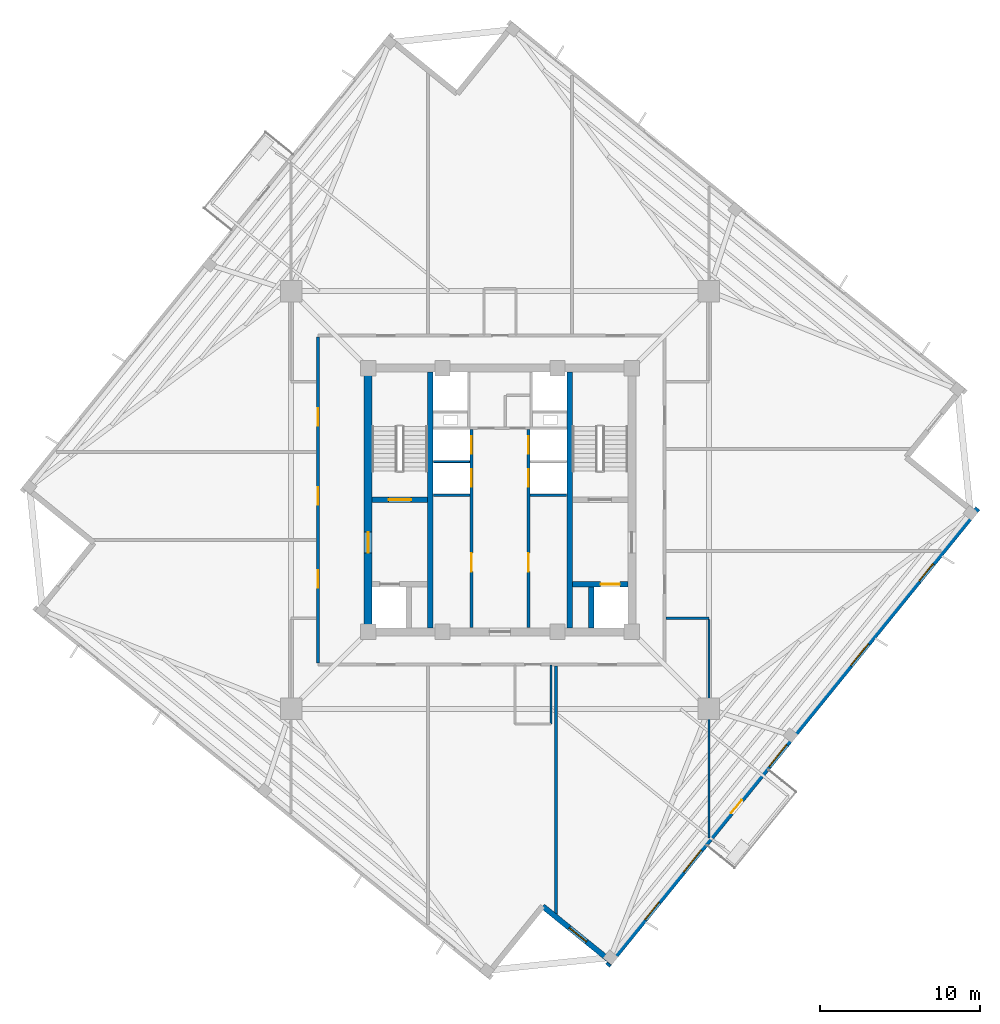
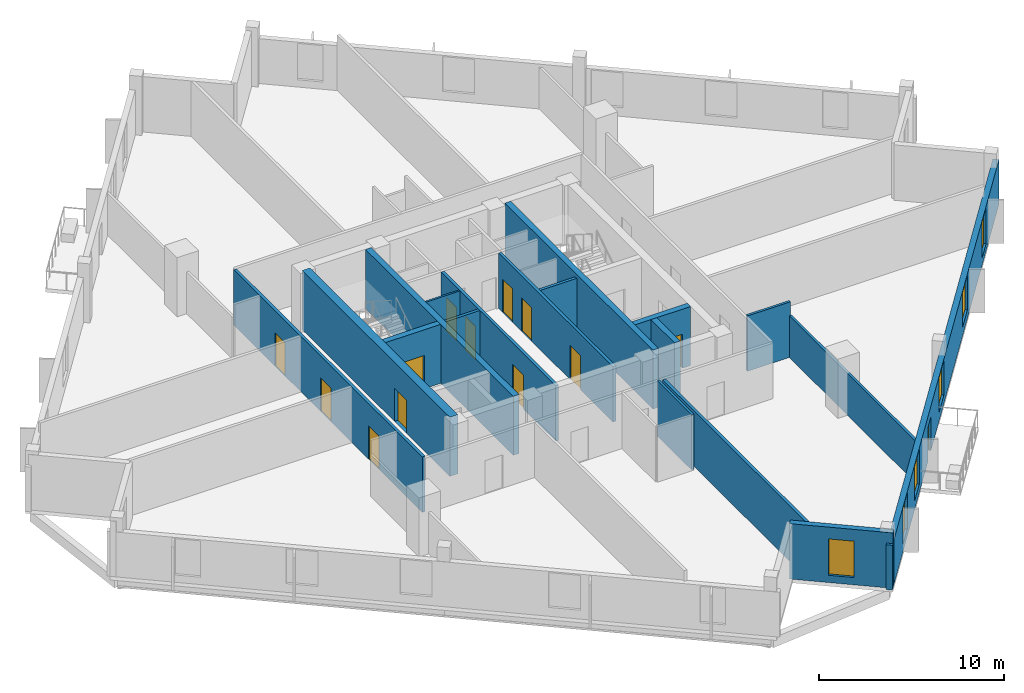
# One storey, part 3 of 9: 18 walls, 13 doors, 6 windows, 19 openings.
"""IFC4 building model written with IfcOpenShell, lengths in metres."""

from ifc_helpers import new_model, si_unit, direction, frame, frame_2d, origin, place, context, subcontext, project, spatial, rectangle, extrude, source, transform, mapped, material, layer, layer_set, type_object, element, fill, save


model = new_model("IFC4")

# Units and contexts
model_context = context("Model", 3, precision=1e-05, world=origin(), true_north=direction((0.0, 1.0)))
body_context = subcontext(model_context, "Body", "Model", "MODEL_VIEW")
ifc_project = project(units=[si_unit("LENGTHUNIT", "METRE"), si_unit("AREAUNIT", "SQUARE_METRE"), si_unit("VOLUMEUNIT", "CUBIC_METRE"), si_unit("PLANEANGLEUNIT", "RADIAN"), si_unit("MASSUNIT", "GRAM", prefix="KILO"), si_unit("THERMODYNAMICTEMPERATUREUNIT", "KELVIN")], contexts=[model_context])

# Site, building, storey
site_placement = place(None, origin())
site = spatial("IfcSite", under=ifc_project, at=site_placement, CompositionType="ELEMENT")
building_placement = place(site_placement, origin())
building = spatial("IfcBuilding", under=site, at=building_placement, Name="Kosmvard Interchange Tower", CompositionType="ELEMENT")
storey_placement = place(building_placement, frame((0.0, 0.0, 236.800048828125)))
storey = spatial("IfcBuildingStorey", under=building, at=storey_placement, Name="L57", CompositionType="ELEMENT", Elevation=236.800048828125)

# Walls
ifc_material_1 = material(Name="Acoustic gypsum partition system")
ifc_layer_1 = layer(ifc_material_1, 0.14990234375, Name="Acoustic gypsum partition system")
ifc_layer_set_1 = layer_set([ifc_layer_1], Name="Acoustic gypsum partition system")
wall_type_1 = type_object("IfcWallType", Name="Acoustic Suite & Meeting Partition 150", PredefinedType="PARTITIONING", material=ifc_layer_set_1)
wall_1_placement = place(storey_placement, frame((10.39501953125, -7.39990234375, 0.0), z_axis=(0.0, 0.0, 1.0), x_axis=(1.0, 0.0, 0.0)))
element("IfcWall", 1, at=wall_1_placement, inside=storey, type_object=wall_type_1, Name="L57 Room Partition 13.1", PredefinedType="PARTITIONING", context=body_context, shape_type="SweptSolid", body=[
    extrude(rectangle(XDim=2.68603515625, YDim=0.14990234375, at=frame_2d((1.343017578125, 0.0))), origin(), (0.0, 0.0, 1.0), 3.659912109375),
])
wall_2_placement = place(storey_placement, frame((13.0810546875, -7.47509765625, 0.0), z_axis=(0.0, 0.0, 1.0), x_axis=(0.0, -1.0, 0.0)))
element("IfcWall", 2, at=wall_2_placement, inside=storey, type_object=wall_type_1, Name="L57 Room Partition 14.1", PredefinedType="PARTITIONING", context=body_context, shape_type="SweptSolid", body=[
    extrude(rectangle(XDim=13.67333984375, YDim=0.14990234375, at=frame_2d((6.836669921875, 0.0))), origin(), (0.0, 0.0, 1.0), 2.760009765625),
])

# Wall, openings, doors
ifc_material_2 = material(Name="Fire-rated gypsum partition system")
ifc_layer_2 = layer(ifc_material_2, 0.179931640625, Name="Fire-rated gypsum partition system")
ifc_layer_set_2 = layer_set([ifc_layer_2], Name="Fire-rated gypsum partition system")
wall_type_2 = type_object("IfcWallType", Name="Corridor & Hotel Compartment Partition 180", PredefinedType="PARTITIONING", material=ifc_layer_set_2)
wall_3_placement = place(storey_placement, frame((-1.7900390625, -7.97998046875, 0.0), z_axis=(0.0, 0.0, 1.0), x_axis=(0.0, 1.0, 0.0)))
wall_3 = element("IfcWall", 3, at=wall_3_placement, inside=storey, type_object=wall_type_2, Name="L57 West Lift Bank Front Wall", PredefinedType="PARTITIONING", context=body_context, shape_type="SweptSolid", body=[
    extrude(rectangle(XDim=12.3798828125, YDim=0.179931640625, at=frame_2d((6.18994140625, 0.0))), origin(), (0.0, 0.0, 1.0), 3.659912109375),
])
opening_1_placement = place(wall_3_placement, frame((8.800048828125, 0.0, 0.0)))
opening_1 = element("IfcOpeningElement", 4, at=opening_1_placement, cuts=wall_3, Name="Opening LD-PL-H1-L57", PredefinedType="OPENING", context=body_context, shape_type="SweptSolid", body=[
    extrude(rectangle(XDim=1.10009765625, YDim=2.199951171875, at=frame_2d((0.550048828125, 1.10009765625))), frame((0.0, 0.10009765625, 0.0), z_axis=(0.0, -1.0, 0.0), x_axis=(1.0, 0.0, 0.0)), (0.0, 0.0, 1.0), 0.199951171875),
])
opening_2_placement = place(wall_3_placement, frame((10.860107421875, 0.0, 0.0)))
opening_2 = element("IfcOpeningElement", 5, at=opening_2_placement, cuts=wall_3, Name="Opening LD-PL-H2-L57", PredefinedType="OPENING", context=body_context, shape_type="SweptSolid", body=[
    extrude(rectangle(XDim=1.10009765625, YDim=2.199951171875, at=frame_2d((0.550048828125, 1.10009765625))), frame((0.0, 0.10009765625, 0.0), z_axis=(0.0, -1.0, 0.0), x_axis=(1.0, 0.0, 0.0)), (0.0, 0.0, 1.0), 0.199951171875),
])
opening_3_placement = place(wall_3_placement, frame((3.5, 0.0, 0.0)))
opening_3 = element("IfcOpeningElement", 6, at=opening_3_placement, cuts=wall_3, Name="Opening L57-CD1", PredefinedType="OPENING", context=body_context, shape_type="SweptSolid", body=[
    extrude(rectangle(XDim=1.14990234375, YDim=2.25, at=frame_2d((0.574951171875, 1.125))), frame((0.0, 0.10009765625, 0.0), z_axis=(0.0, -1.0, 0.0), x_axis=(1.0, 0.0, 0.0)), (0.0, 0.0, 1.0), 0.199951171875),
])
ifc_material_3 = material(Name="Painted fire-rated steel leaf", Category="steel")
door_type_1 = type_object("IfcDoorType", Name="Plant & Riser Fire Door 1150x2250 EI60", OperationType="NOTDEFINED", PredefinedType="DOOR", material=ifc_material_3)
shared_shape_1 = source(origin(), body_context, "Body", "SweptSolid", [
    extrude(rectangle(XDim=1.14990234375, YDim=2.25, at=frame_2d((0.574951171875, 1.125))), frame((0.0, 0.02490234375, 0.0), z_axis=(0.0, -1.0, 0.0), x_axis=(1.0, 0.0, 0.0)), (0.0, 0.0, 1.0), 0.050048828125),
])
door_1_placement = place(opening_3_placement, origin())
door_1 = element("IfcDoor", 7, at=door_1_placement, inside=storey, type_object=door_type_1, Name="L57 Core Facility Store Door", OperationType="SINGLE_SWING_LEFT", OverallHeight=2.25, OverallWidth=1.14990234375, PredefinedType="DOOR", context=body_context, shape_type="MappedRepresentation", body=[
    mapped(shared_shape_1, transform((0.0, 0.0, 0.0), scale=1.0)),
])
fill(opening_3, door_1)
ifc_material_4 = material(Name="Brushed stainless steel sliding leaf", Category="steel")
door_type_2 = type_object("IfcDoorType", Name="Passenger Lift Sliding Landing Door 1100x2200 EI60", OperationType="DOUBLE_DOOR_SLIDING", PredefinedType="DOOR", material=ifc_material_4)
shared_shape_2 = source(origin(), body_context, "Body", "SweptSolid", [
    extrude(rectangle(XDim=1.10009765625, YDim=2.199951171875, at=frame_2d((0.550048828125, 1.10009765625))), frame((0.0, 0.02490234375, 0.0), z_axis=(0.0, -1.0, 0.0), x_axis=(1.0, 0.0, 0.0)), (0.0, 0.0, 1.0), 0.050048828125),
])
door_2_placement = place(opening_1_placement, frame((1.10009765625, 0.0, 0.0), z_axis=(0.0, 0.0, 1.0), x_axis=(-1.0, 0.0, 0.0)))
door_2 = element("IfcDoor", 8, at=door_2_placement, inside=storey, type_object=door_type_2, Name="Lift PL-H1 Landing Door L57", OperationType="DOUBLE_DOOR_SLIDING", OverallHeight=2.199951171875, OverallWidth=1.10009765625, PredefinedType="DOOR", context=body_context, shape_type="MappedRepresentation", body=[
    mapped(shared_shape_2, transform((0.0, 0.0, 0.0), scale=1.0)),
])
fill(opening_1, door_2)
door_3_placement = place(opening_2_placement, frame((1.10009765625, 0.0, 0.0), z_axis=(0.0, 0.0, 1.0), x_axis=(-1.0, 0.0, 0.0)))
door_3 = element("IfcDoor", 9, at=door_3_placement, inside=storey, type_object=door_type_2, Name="Lift PL-H2 Landing Door L57", OperationType="DOUBLE_DOOR_SLIDING", OverallHeight=2.199951171875, OverallWidth=1.10009765625, PredefinedType="DOOR", context=body_context, shape_type="MappedRepresentation", body=[
    mapped(shared_shape_2, transform((0.0, 0.0, 0.0), scale=1.0)),
])
fill(opening_2, door_3)

wall_4_placement = place(storey_placement, frame((1.7900390625, -7.97998046875, 0.0), z_axis=(0.0, 0.0, 1.0), x_axis=(0.0, 1.0, 0.0)))
wall_4 = element("IfcWall", 10, at=wall_4_placement, inside=storey, type_object=wall_type_2, Name="L57 East Lift Bank Front Wall", PredefinedType="PARTITIONING", context=body_context, shape_type="SweptSolid", body=[
    extrude(rectangle(XDim=12.3798828125, YDim=0.179931640625, at=frame_2d((6.18994140625, 0.0))), origin(), (0.0, 0.0, 1.0), 3.659912109375),
])
opening_4_placement = place(wall_4_placement, frame((8.800048828125, 0.0, 0.0)))
opening_4 = element("IfcOpeningElement", 11, at=opening_4_placement, cuts=wall_4, Name="Opening LD-PL-H3-L57", PredefinedType="OPENING", context=body_context, shape_type="SweptSolid", body=[
    extrude(rectangle(XDim=1.10009765625, YDim=2.199951171875, at=frame_2d((0.550048828125, 1.10009765625))), frame((0.0, 0.10009765625, 0.0), z_axis=(0.0, -1.0, 0.0), x_axis=(1.0, 0.0, 0.0)), (0.0, 0.0, 1.0), 0.199951171875),
])
opening_5_placement = place(wall_4_placement, frame((10.860107421875, 0.0, 0.0)))
opening_5 = element("IfcOpeningElement", 12, at=opening_5_placement, cuts=wall_4, Name="Opening LD-PL-H4-L57", PredefinedType="OPENING", context=body_context, shape_type="SweptSolid", body=[
    extrude(rectangle(XDim=1.10009765625, YDim=2.199951171875, at=frame_2d((0.550048828125, 1.10009765625))), frame((0.0, 0.10009765625, 0.0), z_axis=(0.0, -1.0, 0.0), x_axis=(1.0, 0.0, 0.0)), (0.0, 0.0, 1.0), 0.199951171875),
])
opening_6_placement = place(wall_4_placement, frame((3.5, 0.0, 0.0)))
opening_6 = element("IfcOpeningElement", 13, at=opening_6_placement, cuts=wall_4, Name="Opening L57-CD2", PredefinedType="OPENING", context=body_context, shape_type="SweptSolid", body=[
    extrude(rectangle(XDim=1.14990234375, YDim=2.25, at=frame_2d((0.574951171875, 1.125))), frame((0.0, 0.10009765625, 0.0), z_axis=(0.0, -1.0, 0.0), x_axis=(1.0, 0.0, 0.0)), (0.0, 0.0, 1.0), 0.199951171875),
])
door_4_placement = place(opening_6_placement, frame((1.14990234375, 0.0, 0.0), z_axis=(0.0, 0.0, 1.0), x_axis=(-1.0, 0.0, 0.0)))
door_4 = element("IfcDoor", 14, at=door_4_placement, inside=storey, type_object=door_type_1, Name="L57 Core BMS UPS Door", OperationType="SINGLE_SWING_RIGHT", OverallHeight=2.25, OverallWidth=1.14990234375, PredefinedType="DOOR", context=body_context, shape_type="MappedRepresentation", body=[
    mapped(shared_shape_1, transform((0.0, 0.0, 0.0), scale=1.0)),
])
fill(opening_6, door_4)
door_5_placement = place(opening_4_placement, origin())
door_5 = element("IfcDoor", 15, at=door_5_placement, inside=storey, type_object=door_type_2, Name="Lift PL-H3 Landing Door L57", OperationType="DOUBLE_DOOR_SLIDING", OverallHeight=2.199951171875, OverallWidth=1.10009765625, PredefinedType="DOOR", context=body_context, shape_type="MappedRepresentation", body=[
    mapped(shared_shape_2, transform((0.0, 0.0, 0.0), scale=1.0)),
])
fill(opening_4, door_5)
door_6_placement = place(opening_5_placement, origin())
door_6 = element("IfcDoor", 16, at=door_6_placement, inside=storey, type_object=door_type_2, Name="Lift PL-H4 Landing Door L57", OperationType="DOUBLE_DOOR_SLIDING", OverallHeight=2.199951171875, OverallWidth=1.10009765625, PredefinedType="DOOR", context=body_context, shape_type="MappedRepresentation", body=[
    mapped(shared_shape_2, transform((0.0, 0.0, 0.0), scale=1.0)),
])
fill(opening_5, door_6)

wall_5_placement = place(storey_placement, frame((-11.39990234375, -10.199951171875, 0.0), z_axis=(0.0, 0.0, 1.0), x_axis=(0.0, 1.0, 0.0)))
wall_5 = element("IfcWall", 17, at=wall_5_placement, inside=storey, type_object=wall_type_2, Name="L57 Corridor Wall CW", PredefinedType="PARTITIONING", context=body_context, shape_type="SweptSolid", body=[
    extrude(rectangle(XDim=20.39990234375, YDim=0.179931640625, at=frame_2d((10.199951171875, 0.0))), origin(), (0.0, 0.0, 1.0), 3.659912109375),
])
opening_7_placement = place(wall_5_placement, frame((14.85009765625, 0.0, 0.0)))
opening_7 = element("IfcOpeningElement", 18, at=opening_7_placement, cuts=wall_5, Name="Opening L57-D03", PredefinedType="OPENING", context=body_context, shape_type="SweptSolid", body=[
    extrude(rectangle(XDim=1.10009765625, YDim=2.199951171875, at=frame_2d((0.550048828125, 1.10009765625))), frame((0.0, 0.10009765625, 0.0), z_axis=(0.0, -1.0, 0.0), x_axis=(1.0, 0.0, 0.0)), (0.0, 0.0, 1.0), 0.199951171875),
])
opening_8_placement = place(wall_5_placement, frame((4.699951171875, 0.0, 0.0)))
opening_8 = element("IfcOpeningElement", 19, at=opening_8_placement, cuts=wall_5, Name="Opening L57-D13", PredefinedType="OPENING", context=body_context, shape_type="SweptSolid", body=[
    extrude(rectangle(XDim=1.10009765625, YDim=2.199951171875, at=frame_2d((0.550048828125, 1.10009765625))), frame((0.0, 0.10009765625, 0.0), z_axis=(0.0, -1.0, 0.0), x_axis=(1.0, 0.0, 0.0)), (0.0, 0.0, 1.0), 0.199951171875),
])
opening_9_placement = place(wall_5_placement, frame((9.89990234375, 0.0, 0.0)))
opening_9 = element("IfcOpeningElement", 20, at=opening_9_placement, cuts=wall_5, Name="Opening L57-D14", PredefinedType="OPENING", context=body_context, shape_type="SweptSolid", body=[
    extrude(rectangle(XDim=1.10009765625, YDim=2.199951171875, at=frame_2d((0.550048828125, 1.10009765625))), frame((0.0, 0.10009765625, 0.0), z_axis=(0.0, -1.0, 0.0), x_axis=(1.0, 0.0, 0.0)), (0.0, 0.0, 1.0), 0.199951171875),
])
ifc_material_5 = material(Name="Engineered oak fire-rated timber", Category="wood")
door_type_3 = type_object("IfcDoorType", Name="Office Suite Entrance Door 1100x2200 FD30S", OperationType="NOTDEFINED", PredefinedType="DOOR", material=ifc_material_5)
door_7_placement = place(opening_7_placement, origin())
door_7 = element("IfcDoor", 21, at=door_7_placement, inside=storey, type_object=door_type_3, Name="L57 North-West Corner Office Door", OperationType="SINGLE_SWING_LEFT", OverallHeight=2.199951171875, OverallWidth=1.10009765625, PredefinedType="DOOR", context=body_context, shape_type="MappedRepresentation", body=[
    mapped(shared_shape_2, transform((0.0, 0.0, 0.0), scale=1.0)),
])
fill(opening_7, door_7)
door_8_placement = place(opening_8_placement, origin())
door_8 = element("IfcDoor", 22, at=door_8_placement, inside=storey, type_object=door_type_3, Name="L57 West Advisory Office 7 Door", OperationType="SINGLE_SWING_LEFT", OverallHeight=2.199951171875, OverallWidth=1.10009765625, PredefinedType="DOOR", context=body_context, shape_type="MappedRepresentation", body=[
    mapped(shared_shape_2, transform((0.0, 0.0, 0.0), scale=1.0)),
])
fill(opening_8, door_8)
door_9_placement = place(opening_9_placement, origin())
door_9 = element("IfcDoor", 23, at=door_9_placement, inside=storey, type_object=door_type_3, Name="L57 West Counsel Office 8 Door", OperationType="SINGLE_SWING_RIGHT", OverallHeight=2.199951171875, OverallWidth=1.10009765625, PredefinedType="DOOR", context=body_context, shape_type="MappedRepresentation", body=[
    mapped(shared_shape_2, transform((0.0, 0.0, 0.0), scale=1.0)),
])
fill(opening_9, door_9)

# Wall
wall_6_placement = place(storey_placement, frame((3.5, -10.39501953125, 0.0), z_axis=(0.0, 0.0, 1.0), x_axis=(0.0, -1.0, 0.0)))
element("IfcWall", 24, at=wall_6_placement, inside=storey, type_object=wall_type_2, Name="L57 Room Partition 05.1", PredefinedType="PARTITIONING", context=body_context, shape_type="SweptSolid", body=[
    extrude(rectangle(XDim=15.56884765625, YDim=0.179931640625, at=frame_2d((7.784423828125, 0.0))), origin(), (0.0, 0.0, 1.0), 3.659912109375),
])

# Wall, openings, door, windows
ifc_material_6 = material(Name="Precast concrete C45/55", Category="concrete")
ifc_layer_3 = layer(ifc_material_6, 0.340087890625, Name="Precast concrete C45/55")
ifc_layer_set_3 = layer_set([ifc_layer_3], Name="Precast concrete C45/55")
wall_type_3 = type_object("IfcWallType", Name="Mid Tower Precast Pier Wall 340 C45/55", PredefinedType="STANDARD", material=ifc_layer_set_3)
wall_7_placement = place(storey_placement, frame((6.73291015625, -29.154296875, 0.0), z_axis=(0.0, 0.0, 1.0), x_axis=(0.629325378072, 0.77714192302, 0.0)))
wall_7 = element("IfcWall", 25, at=wall_7_placement, inside=storey, type_object=wall_type_3, Name="L57 Precast Facade Wall F-S", PredefinedType="STANDARD", context=body_context, shape_type="SweptSolid", body=[
    extrude(rectangle(XDim=36.840087890625, YDim=0.340087890625, at=frame_2d((18.419921875, 0.0))), origin(), (0.0, 0.0, 1.0), 2.9599609375),
])
opening_10_placement = place(wall_7_placement, frame((12.294921875, 0.0, 0.0)))
opening_10 = element("IfcOpeningElement", 26, at=opening_10_placement, cuts=wall_7, Name="Opening L57-BDS", PredefinedType="OPENING", context=body_context, shape_type="SweptSolid", body=[
    extrude(rectangle(XDim=1.050048828125, YDim=2.25, at=frame_2d((0.52490234375, 1.125))), frame((0.0, 0.18017578125, 0.0), z_axis=(0.0, -1.0, 0.0), x_axis=(1.0, 0.0, 0.0)), (0.0, 0.0, 1.0), 0.360107421875),
])
opening_11_placement = place(wall_7_placement, frame((3.720703125, 0.0, 0.47998046875)))
opening_11 = element("IfcOpeningElement", 27, at=opening_11_placement, cuts=wall_7, Name="Opening L57-W01", PredefinedType="OPENING", context=body_context, shape_type="SweptSolid", body=[
    extrude(rectangle(XDim=1.39990234375, YDim=2.39990234375, at=frame_2d((0.699951171875, 1.199951171875))), frame((0.0, 0.18017578125, 0.0), z_axis=(0.0, -1.0, 0.0), x_axis=(1.0, 0.0, 0.0)), (0.0, 0.0, 1.0), 0.360107421875),
])
opening_12_placement = place(wall_7_placement, frame((7.55859375, 0.0, 0.580078125)))
opening_12 = element("IfcOpeningElement", 28, at=opening_12_placement, cuts=wall_7, Name="Opening L57-W02", PredefinedType="OPENING", context=body_context, shape_type="SweptSolid", body=[
    extrude(rectangle(XDim=1.75, YDim=2.300048828125, at=frame_2d((0.875, 1.14990234375))), frame((0.0, 0.18017578125, 0.0), z_axis=(0.0, -1.0, 0.0), x_axis=(1.0, 0.0, 0.0)), (0.0, 0.0, 1.0), 0.360107421875),
])
opening_13_placement = place(wall_7_placement, frame((16.05810546875, 0.0, 0.580078125)))
opening_13 = element("IfcOpeningElement", 29, at=opening_13_placement, cuts=wall_7, Name="Opening L57-W03", PredefinedType="OPENING", context=body_context, shape_type="SweptSolid", body=[
    extrude(rectangle(XDim=1.75, YDim=2.300048828125, at=frame_2d((0.875, 1.14990234375))), frame((0.0, 0.18017578125, 0.0), z_axis=(0.0, -1.0, 0.0), x_axis=(1.0, 0.0, 0.0)), (0.0, 0.0, 1.0), 0.360107421875),
])
opening_14_placement = place(wall_7_placement, frame((24.17626953125, 0.0, 0.580078125)))
opening_14 = element("IfcOpeningElement", 30, at=opening_14_placement, cuts=wall_7, Name="Opening L57-W04", PredefinedType="OPENING", context=body_context, shape_type="SweptSolid", body=[
    extrude(rectangle(XDim=1.75, YDim=2.300048828125, at=frame_2d((0.875, 1.14990234375))), frame((0.0, 0.18017578125, 0.0), z_axis=(0.0, -1.0, 0.0), x_axis=(1.0, 0.0, 0.0)), (0.0, 0.0, 1.0), 0.360107421875),
])
opening_15_placement = place(wall_7_placement, frame((30.982421875, 0.0, 0.47998046875)))
opening_15 = element("IfcOpeningElement", 31, at=opening_15_placement, cuts=wall_7, Name="Opening L57-W05", PredefinedType="OPENING", context=body_context, shape_type="SweptSolid", body=[
    extrude(rectangle(XDim=1.39990234375, YDim=2.39990234375, at=frame_2d((0.699951171875, 1.199951171875))), frame((0.0, 0.18017578125, 0.0), z_axis=(0.0, -1.0, 0.0), x_axis=(1.0, 0.0, 0.0)), (0.0, 0.0, 1.0), 0.360107421875),
])
ifc_material_7 = material(Name="Anodised aluminium and safety glass", Category="aluminium")
door_type_4 = type_object("IfcDoorType", Name="Tree-Balcony Glazed Door 1050x2250", OperationType="NOTDEFINED", PredefinedType="DOOR", material=ifc_material_7)
shared_shape_3 = source(origin(), body_context, "Body", "SweptSolid", [
    extrude(rectangle(XDim=1.050048828125, YDim=2.25, at=frame_2d((0.52490234375, 1.125))), frame((0.0, 0.02490234375, 0.0), z_axis=(0.0, -1.0, 0.0), x_axis=(1.0, 0.0, 0.0)), (0.0, 0.0, 1.0), 0.050048828125),
])
door_10_placement = place(opening_10_placement, origin())
door_10 = element("IfcDoor", 32, at=door_10_placement, inside=storey, type_object=door_type_4, Name="L57 Tree-Balcony Door BAL-L57-S", OperationType="SINGLE_SWING_RIGHT", OverallHeight=2.25, OverallWidth=1.050048828125, PredefinedType="DOOR", context=body_context, shape_type="MappedRepresentation", body=[
    mapped(shared_shape_3, transform((0.0, 0.0, 0.0), scale=1.0)),
])
fill(opening_10, door_10)
ifc_material_8 = material(Name="Low-E solar-control double glazing", Category="glass")
window_type_1 = type_object("IfcWindowType", Name="Notched Corner Feature Window 1400x2400", PartitioningType="SINGLE_PANEL", PredefinedType="WINDOW", material=ifc_material_8)
shared_shape_4 = source(origin(), body_context, "Body", "SweptSolid", [
    extrude(rectangle(XDim=1.39990234375, YDim=2.39990234375, at=frame_2d((0.699951171875, 1.199951171875))), frame((0.0, 0.030029296875, 0.0), z_axis=(0.0, -1.0, 0.0), x_axis=(1.0, 0.0, 0.0)), (0.0, 0.0, 1.0), 0.06005859375),
])
window_1_placement = place(opening_11_placement, origin())
window_1 = element("IfcWindow", 33, at=window_1_placement, inside=storey, type_object=window_type_1, Name="L57 Facade Punched Window 01", OverallHeight=2.39990234375, OverallWidth=1.39990234375, PartitioningType="SINGLE_PANEL", PredefinedType="WINDOW", context=body_context, shape_type="MappedRepresentation", body=[
    mapped(shared_shape_4, transform((0.0, 0.0, 0.0), scale=1.0)),
])
fill(opening_11, window_1)
window_2_placement = place(opening_15_placement, origin())
window_2 = element("IfcWindow", 34, at=window_2_placement, inside=storey, type_object=window_type_1, Name="L57 Facade Punched Window 05", OverallHeight=2.39990234375, OverallWidth=1.39990234375, PartitioningType="SINGLE_PANEL", PredefinedType="WINDOW", context=body_context, shape_type="MappedRepresentation", body=[
    mapped(shared_shape_4, transform((0.0, 0.0, 0.0), scale=1.0)),
])
fill(opening_15, window_2)
window_type_2 = type_object("IfcWindowType", Name="Zone 4 Suite Punched Window 1750x2300", PartitioningType="SINGLE_PANEL", PredefinedType="WINDOW", material=ifc_material_8)
shared_shape_5 = source(origin(), body_context, "Body", "SweptSolid", [
    extrude(rectangle(XDim=1.75, YDim=2.300048828125, at=frame_2d((0.875, 1.14990234375))), frame((0.0, 0.030029296875, 0.0), z_axis=(0.0, -1.0, 0.0), x_axis=(1.0, 0.0, 0.0)), (0.0, 0.0, 1.0), 0.06005859375),
])
window_3_placement = place(opening_12_placement, origin())
window_3 = element("IfcWindow", 35, at=window_3_placement, inside=storey, type_object=window_type_2, Name="L57 Facade Punched Window 02", OverallHeight=2.300048828125, OverallWidth=1.75, PartitioningType="SINGLE_PANEL", PredefinedType="WINDOW", context=body_context, shape_type="MappedRepresentation", body=[
    mapped(shared_shape_5, transform((0.0, 0.0, 0.0), scale=1.0)),
])
fill(opening_12, window_3)
window_4_placement = place(opening_13_placement, origin())
window_4 = element("IfcWindow", 36, at=window_4_placement, inside=storey, type_object=window_type_2, Name="L57 Facade Punched Window 03", OverallHeight=2.300048828125, OverallWidth=1.75, PartitioningType="SINGLE_PANEL", PredefinedType="WINDOW", context=body_context, shape_type="MappedRepresentation", body=[
    mapped(shared_shape_5, transform((0.0, 0.0, 0.0), scale=1.0)),
])
fill(opening_13, window_4)
window_5_placement = place(opening_14_placement, origin())
window_5 = element("IfcWindow", 37, at=window_5_placement, inside=storey, type_object=window_type_2, Name="L57 Facade Punched Window 04", OverallHeight=2.300048828125, OverallWidth=1.75, PartitioningType="SINGLE_PANEL", PredefinedType="WINDOW", context=body_context, shape_type="MappedRepresentation", body=[
    mapped(shared_shape_5, transform((0.0, 0.0, 0.0), scale=1.0)),
])
fill(opening_14, window_5)

# Wall, opening, window
wall_8_placement = place(storey_placement, frame((2.672607421875, -25.428955078125, 0.0), z_axis=(0.0, 0.0, 1.0), x_axis=(0.777162640055, -0.629299794138, 0.0)))
wall_8 = element("IfcWall", 38, at=wall_8_placement, inside=storey, type_object=wall_type_3, Name="L57 Precast Facade Wall N-SW2", PredefinedType="STANDARD", context=body_context, shape_type="SweptSolid", body=[
    extrude(rectangle(XDim=5.669921875, YDim=0.340087890625, at=frame_2d((2.8349609375, 0.0))), origin(), (0.0, 0.0, 1.0), 3.659912109375),
])
opening_16_placement = place(wall_8_placement, frame((2.135009765625, 0.0, 0.47998046875)))
opening_16 = element("IfcOpeningElement", 39, at=opening_16_placement, cuts=wall_8, Name="Opening L57-W23", PredefinedType="OPENING", context=body_context, shape_type="SweptSolid", body=[
    extrude(rectangle(XDim=1.39990234375, YDim=2.39990234375, at=frame_2d((0.699951171875, 1.199951171875))), frame((0.0, 0.18017578125, 0.0), z_axis=(0.0, -1.0, 0.0), x_axis=(1.0, 0.0, 0.0)), (0.0, 0.0, 1.0), 0.360107421875),
])
window_6_placement = place(opening_16_placement, origin())
window_6 = element("IfcWindow", 40, at=window_6_placement, inside=storey, type_object=window_type_1, Name="L57 Corner Notch Window 23", OverallHeight=2.39990234375, OverallWidth=1.39990234375, PartitioningType="SINGLE_PANEL", PredefinedType="WINDOW", context=body_context, shape_type="MappedRepresentation", body=[
    mapped(shared_shape_4, transform((0.0, 0.0, 0.0), scale=1.0)),
])
fill(opening_16, window_6)

# Walls
ifc_material_9 = material(Name="Concrete blockwork masonry", Category="masonry")
ifc_layer_4 = layer(ifc_material_9, 0.179931640625, Name="Concrete blockwork masonry")
ifc_layer_set_4 = layer_set([ifc_layer_4], Name="Concrete blockwork masonry")
wall_type_4 = type_object("IfcWallType", Name="Riser & Lift Bank Divider Wall 180", PredefinedType="PARTITIONING", material=ifc_layer_set_4)
for number, where, z_axis, x_axis, name in (
    (41, (-4.169921875, 0.300048828125, 0.0), (0.0, 0.0, 1.0), (1.0, 0.0, 0.0), "L57 West Bank Divider BD2"),
    (42, (1.889892578125, 0.300048828125, 0.0), (0.0, 0.0, 1.0), (1.0, 0.0, 0.0), "L57 East Bank Divider BD2"),
):
    element("IfcWall", number, at=place(storey_placement, frame(where, z_axis=z_axis, x_axis=x_axis)), inside=storey, type_object=wall_type_4, Name=name, PredefinedType="PARTITIONING", context=body_context, shape_type="SweptSolid", body=[
        extrude(rectangle(XDim=2.280029296875, YDim=0.179931640625, at=frame_2d((1.14013671875, 0.0))), origin(), (0.0, 0.0, 1.0), 3.659912109375),
    ])
ifc_material_10 = material(Name="Fire-rated gypsum shaftwall system")
ifc_layer_5 = layer(ifc_material_10, 0.1201171875, Name="Fire-rated gypsum shaftwall system")
ifc_layer_set_5 = layer_set([ifc_layer_5], Name="Fire-rated gypsum shaftwall system")
wall_type_5 = type_object("IfcWallType", Name="Shaft & Riser Fire Partition 120 EI60", PredefinedType="PARTITIONING", material=ifc_layer_set_5)
wall_9_placement = place(storey_placement, frame((-4.159912109375, 2.39990234375, 0.0), z_axis=(0.0, 0.0, 1.0), x_axis=(1.0, 0.0, 0.0)))
element("IfcWall", 43, at=wall_9_placement, inside=storey, type_object=wall_type_5, Name="L57 Shaft Divider PL-H1", PredefinedType="PARTITIONING", context=body_context, shape_type="SweptSolid", body=[
    extrude(rectangle(XDim=2.260009765625, YDim=0.1201171875, at=frame_2d((1.1298828125, 0.0))), origin(), (0.0, 0.0, 1.0), 3.659912109375),
])
ifc_material_11 = material(Name="Concrete C60/75", Category="concrete")
ifc_layer_6 = layer(ifc_material_11, 0.360107421875, Name="Concrete C60/75")
ifc_layer_set_6 = layer_set([ifc_layer_6], Name="Concrete C60/75")
wall_type_6 = type_object("IfcWallType", Name="Stair & Lift Shaft Shear Wall 360 C60/75", PredefinedType="SHEAR", material=ifc_layer_set_6)
for number, where, z_axis, x_axis, name in (
    (44, (-4.360107421875, -8.0, 0.0), (0.0, 0.0, 1.0), (0.0, 1.0, 0.0), "L57 Shaft Shear Wall SW-W"),
    (45, (4.360107421875, -8.0, 0.0), (0.0, 0.0, 1.0), (0.0, 1.0, 0.0), "L57 Shaft Shear Wall SW-E"),
):
    element("IfcWall", number, at=place(storey_placement, frame(where, z_axis=z_axis, x_axis=x_axis)), inside=storey, type_object=wall_type_6, Name=name, PredefinedType="SHEAR", context=body_context, shape_type="SweptSolid", body=[
        extrude(rectangle(XDim=16.0, YDim=0.360107421875, at=frame_2d((8.0, 0.0))), origin(), (0.0, 0.0, 1.0), 3.89990234375),
    ])

# Wall, opening, door
wall_10_placement = place(storey_placement, frame((-8.0, 0.02001953125, 0.0), z_axis=(0.0, 0.0, 1.0), x_axis=(1.0, 0.0, 0.0)))
wall_10 = element("IfcWall", 46, at=wall_10_placement, inside=storey, type_object=wall_type_6, Name="L57 Shaft Shear Wall SW-ST1", PredefinedType="SHEAR", context=body_context, shape_type="SweptSolid", body=[
    extrude(rectangle(XDim=3.4599609375, YDim=0.360107421875, at=frame_2d((1.72998046875, 0.0))), origin(), (0.0, 0.0, 1.0), 3.89990234375),
])
opening_17_placement = place(wall_10_placement, frame((1.030029296875, 0.0, 0.0)))
opening_17 = element("IfcOpeningElement", 47, at=opening_17_placement, cuts=wall_10, Name="Opening L57-SD1", PredefinedType="OPENING", context=body_context, shape_type="SweptSolid", body=[
    extrude(rectangle(XDim=1.39990234375, YDim=2.199951171875, at=frame_2d((0.699951171875, 1.10009765625))), frame((0.0, 0.18994140625, 0.0), z_axis=(0.0, -1.0, 0.0), x_axis=(1.0, 0.0, 0.0)), (0.0, 0.0, 1.0), 0.380126953125),
])
door_type_5 = type_object("IfcDoorType", Name="Protected Stair Door 1400x2200 FD60S", OperationType="NOTDEFINED", PredefinedType="DOOR", material=ifc_material_3)
shared_shape_6 = source(origin(), body_context, "Body", "SweptSolid", [
    extrude(rectangle(XDim=1.39990234375, YDim=2.199951171875, at=frame_2d((0.699951171875, 1.10009765625))), frame((0.0, 0.02490234375, 0.0), z_axis=(0.0, -1.0, 0.0), x_axis=(1.0, 0.0, 0.0)), (0.0, 0.0, 1.0), 0.050048828125),
])
door_11_placement = place(opening_17_placement, origin())
door_11 = element("IfcDoor", 48, at=door_11_placement, inside=storey, type_object=door_type_5, Name="L57 Stair ST-1 Enclosure Door", OperationType="SINGLE_SWING_LEFT", OverallHeight=2.199951171875, OverallWidth=1.39990234375, PredefinedType="DOOR", context=body_context, shape_type="MappedRepresentation", body=[
    mapped(shared_shape_6, transform((0.0, 0.0, 0.0), scale=1.0)),
])
fill(opening_17, door_11)

wall_11_placement = place(storey_placement, frame((4.5400390625, -5.280029296875, 0.0), z_axis=(0.0, 0.0, 1.0), x_axis=(1.0, 0.0, 0.0)))
wall_11 = element("IfcWall", 49, at=wall_11_placement, inside=storey, type_object=wall_type_6, Name="L57 Shaft Shear Wall SW-FF2", PredefinedType="SHEAR", context=body_context, shape_type="SweptSolid", body=[
    extrude(rectangle(XDim=3.4599609375, YDim=0.360107421875, at=frame_2d((1.72998046875, 0.0))), origin(), (0.0, 0.0, 1.0), 3.89990234375),
])
opening_18_placement = place(wall_11_placement, frame((1.760009765625, 0.0, 0.0)))
opening_18 = element("IfcOpeningElement", 50, at=opening_18_placement, cuts=wall_11, Name="Opening LD-FF-2-L57", PredefinedType="OPENING", context=body_context, shape_type="SweptSolid", body=[
    extrude(rectangle(XDim=1.199951171875, YDim=2.25, at=frame_2d((0.60009765625, 1.125))), frame((0.0, 0.18994140625, 0.0), z_axis=(0.0, -1.0, 0.0), x_axis=(1.0, 0.0, 0.0)), (0.0, 0.0, 1.0), 0.380126953125),
])
door_type_6 = type_object("IfcDoorType", Name="Firefighting Lift Sliding Landing Door 1200x2250 EI120", OperationType="DOUBLE_DOOR_SLIDING", PredefinedType="DOOR", material=ifc_material_4)
shared_shape_7 = source(origin(), body_context, "Body", "SweptSolid", [
    extrude(rectangle(XDim=1.199951171875, YDim=2.25, at=frame_2d((0.60009765625, 1.125))), frame((0.0, 0.02490234375, 0.0), z_axis=(0.0, -1.0, 0.0), x_axis=(1.0, 0.0, 0.0)), (0.0, 0.0, 1.0), 0.050048828125),
])
door_12_placement = place(opening_18_placement, origin())
door_12 = element("IfcDoor", 51, at=door_12_placement, inside=storey, type_object=door_type_6, Name="Lift FF-2 Landing Door L57", OperationType="DOUBLE_DOOR_SLIDING", OverallHeight=2.25, OverallWidth=1.199951171875, PredefinedType="DOOR", context=body_context, shape_type="MappedRepresentation", body=[
    mapped(shared_shape_7, transform((0.0, 0.0, 0.0), scale=1.0)),
])
fill(opening_18, door_12)

# Wall
wall_12_placement = place(storey_placement, frame((5.7099609375, -8.0, 0.0), z_axis=(0.0, 0.0, 1.0), x_axis=(0.0, 1.0, 0.0)))
element("IfcWall", 52, at=wall_12_placement, inside=storey, type_object=wall_type_6, Name="L57 Shaft Shear Wall SW-SM2", PredefinedType="SHEAR", context=body_context, shape_type="SweptSolid", body=[
    extrude(rectangle(XDim=2.5400390625, YDim=0.360107421875, at=frame_2d((1.27001953125, 0.0))), origin(), (0.0, 0.0, 1.0), 3.89990234375),
])

# Wall, opening, door
ifc_layer_7 = layer(ifc_material_11, 0.5, Name="Concrete C60/75")
ifc_layer_set_7 = layer_set([ifc_layer_7], Name="Concrete C60/75")
wall_type_7 = type_object("IfcWallType", Name="Upper Core Shear Wall 500 C60/75", PredefinedType="SHEAR", material=ifc_layer_set_7)
wall_13_placement = place(storey_placement, frame((-8.25, -8.0, 0.0), z_axis=(0.0, 0.0, 1.0), x_axis=(0.0, 1.0, 0.0)))
wall_13 = element("IfcWall", 53, at=wall_13_placement, inside=storey, type_object=wall_type_7, Name="L57 Core Shear Wall CW-W", PredefinedType="SHEAR", context=body_context, shape_type="SweptSolid", body=[
    extrude(rectangle(XDim=16.0, YDim=0.5, at=frame_2d((8.0, 0.0))), origin(), (0.0, 0.0, 1.0), 3.89990234375),
])
opening_19_placement = place(wall_13_placement, frame((4.68994140625, 0.0, 0.0)))
opening_19 = element("IfcOpeningElement", 54, at=opening_19_placement, cuts=wall_13, Name="Opening L57-FD1", PredefinedType="OPENING", context=body_context, shape_type="SweptSolid", body=[
    extrude(rectangle(XDim=1.300048828125, YDim=2.199951171875, at=frame_2d((0.64990234375, 1.10009765625))), frame((0.0, 0.260009765625, 0.0), z_axis=(0.0, -1.0, 0.0), x_axis=(1.0, 0.0, 0.0)), (0.0, 0.0, 1.0), 0.52001953125),
])
door_type_7 = type_object("IfcDoorType", Name="Firefighting Lobby Door 1300x2200 EI60", OperationType="NOTDEFINED", PredefinedType="DOOR", material=ifc_material_3)
shared_shape_8 = source(origin(), body_context, "Body", "SweptSolid", [
    extrude(rectangle(XDim=1.300048828125, YDim=2.199951171875, at=frame_2d((0.64990234375, 1.10009765625))), frame((0.0, 0.02490234375, 0.0), z_axis=(0.0, -1.0, 0.0), x_axis=(1.0, 0.0, 0.0)), (0.0, 0.0, 1.0), 0.050048828125),
])
door_13_placement = place(opening_19_placement, frame((1.300048828125, 0.0, 0.0), z_axis=(0.0, 0.0, 1.0), x_axis=(-1.0, 0.0, 0.0)))
door_13 = element("IfcDoor", 55, at=door_13_placement, inside=storey, type_object=door_type_7, Name="L57 Firefighting Lobby West Door", OperationType="SINGLE_SWING_LEFT", OverallHeight=2.199951171875, OverallWidth=1.300048828125, PredefinedType="DOOR", context=body_context, shape_type="MappedRepresentation", body=[
    mapped(shared_shape_8, transform((0.0, 0.0, 0.0), scale=1.0)),
])
fill(opening_19, door_13)

# Wall
ifc_material_12 = material(Name="Moisture-resistant gypsum partition")
ifc_layer_8 = layer(ifc_material_12, 0.135009765625, Name="Moisture-resistant gypsum partition")
ifc_layer_set_8 = layer_set([ifc_layer_8], Name="Moisture-resistant gypsum partition")
wall_type_8 = type_object("IfcWallType", Name="Wet Room Moisture-Resistant Partition 135", PredefinedType="PARTITIONING", material=ifc_layer_set_8)
wall_14_placement = place(storey_placement, frame((3.18896484375, -14.02001953125, 0.0), z_axis=(0.0, 0.0, 1.0), x_axis=(0.0, 1.0, 0.0)))
element("IfcWall", 56, at=wall_14_placement, inside=storey, type_object=wall_type_8, Name="L57 Washroom Partition WC1-E", PredefinedType="PARTITIONING", context=body_context, shape_type="SweptSolid", body=[
    extrude(rectangle(XDim=3.699951171875, YDim=0.135009765625, at=frame_2d((1.85009765625, 0.0))), origin(), (0.0, 0.0, 1.0), 3.659912109375),
])

save(model, "model.ifc")
